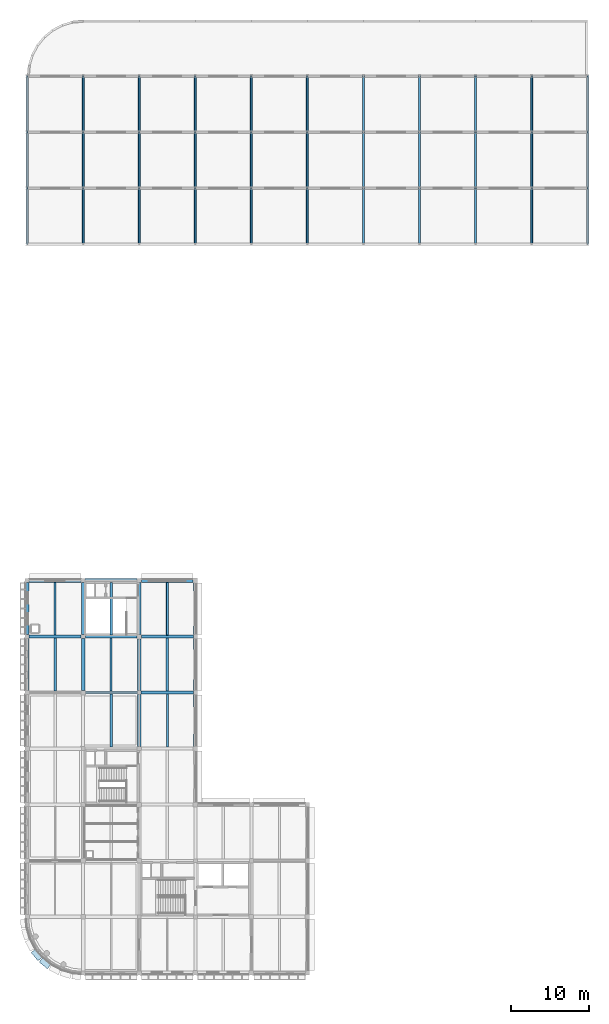
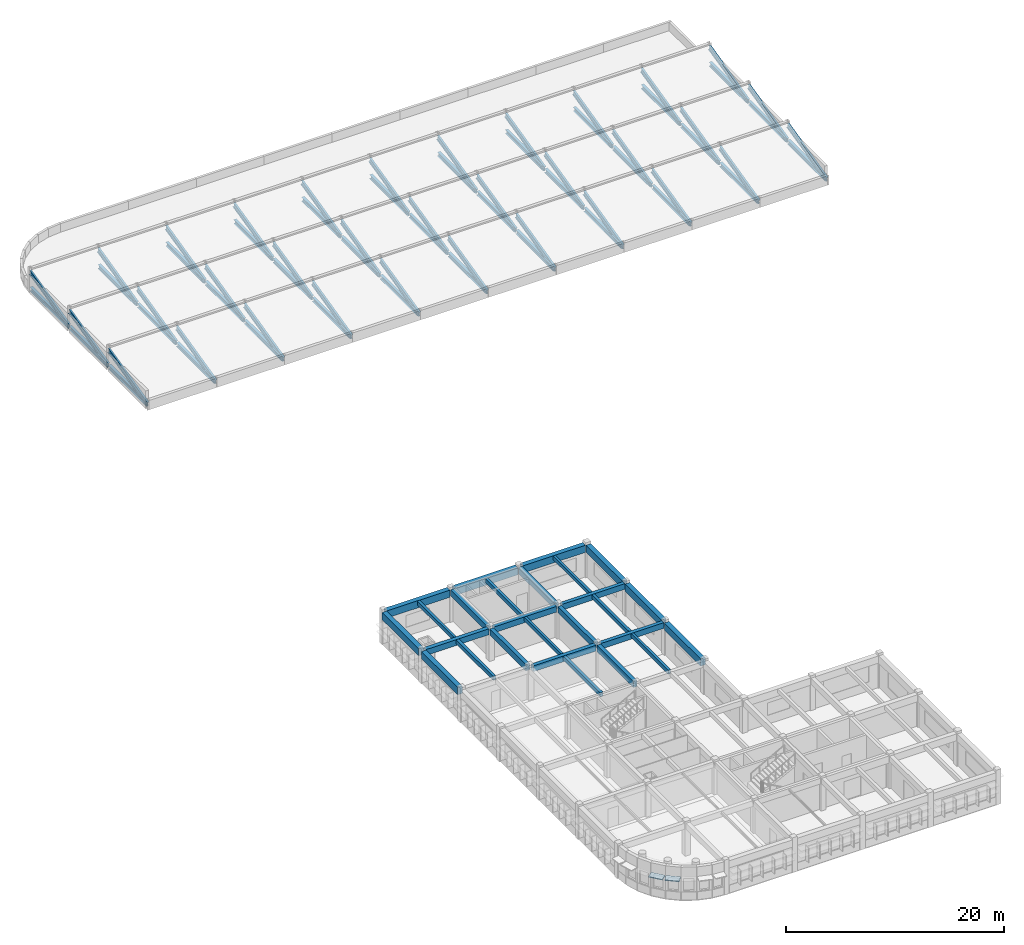
# One storey, part 8 of 19: 66 members, 26 beams, 2 plates.
"""IFC4 building model written with IfcOpenShell, lengths in metres."""

from ifc_helpers import new_model, si_unit, direction, frame, origin, origin_2d, place, context, subcontext, project, spatial, rectangle, i_section, extrude, material, layer, layer_set, material_profile, profile_set, type_object, element, save


model = new_model("IFC4")

# Units and contexts
model_context = context("Model", 3, precision=1e-05, world=origin(), true_north=direction((0.0, 1.0)))
body_context = subcontext(model_context, "Body", "Model", "MODEL_VIEW")
ifc_project = project(units=[si_unit("LENGTHUNIT", "METRE"), si_unit("AREAUNIT", "SQUARE_METRE"), si_unit("VOLUMEUNIT", "CUBIC_METRE"), si_unit("PLANEANGLEUNIT", "RADIAN"), si_unit("MASSUNIT", "GRAM", prefix="KILO")], contexts=[model_context])

# Site, building, storey
site_placement = place(None, origin())
site = spatial("IfcSite", under=ifc_project, at=site_placement, CompositionType="ELEMENT")
building_placement = place(site_placement, origin())
building = spatial("IfcBuilding", under=site, at=building_placement, Name="Thalmaran Polytechnic", CompositionType="ELEMENT")
storey_placement = place(building_placement, frame((0.0, 0.0, 26.699951171875)))
storey = spatial("IfcBuildingStorey", under=building, at=storey_placement, Name="L06", CompositionType="ELEMENT", Elevation=26.699951171875)

# Beams
ifc_material_1 = material(Name="Concrete C40/50", Category="concrete")
ifc_material_profile_1 = material_profile(ifc_material_1, rectangle(XDim=0.39990234375, YDim=0.64990234375, at=origin_2d()), Name="RC 400x650")
ifc_profile_set_1 = profile_set([ifc_material_profile_1], Name="Concrete C40/50")
beam_type_1 = type_object("IfcBeamType", Name="BM-RC06", PredefinedType="BEAM", material=ifc_profile_set_1)
beam_1_placement = place(storey_placement, frame((7.489990234375, 36.0, 3.31005859375), z_axis=(1.0, 0.0, 0.0), x_axis=(0.0, 1.0, 0.0)))
element("IfcBeam", 1, at=beam_1_placement, inside=storey, type_object=beam_type_1, Name="Grid Beam B06 L06 X(1,5)", PredefinedType="BEAM", context=body_context, shape_type="SweptSolid", body=[
    extrude(rectangle(XDim=0.39990234375, YDim=0.64990234375, at=origin_2d()), origin(), (0.0, 0.0, 1.0), 6.659912109375),
])
beam_2_placement = place(storey_placement, frame((7.47509765625, 43.199951171875, 3.31005859375), z_axis=(1.0, 0.0, 0.0), x_axis=(0.0, 1.0, 0.0)))
element("IfcBeam", 2, at=beam_2_placement, inside=storey, type_object=beam_type_1, Name="Grid Beam B06 L06 X(1,6)", PredefinedType="BEAM", context=body_context, shape_type="SweptSolid", body=[
    extrude(rectangle(XDim=0.39990234375, YDim=0.64990234375, at=origin_2d()), origin(), (0.0, 0.0, 1.0), 6.635009765625),
])
ifc_material_profile_2 = material_profile(ifc_material_1, rectangle(XDim=0.389892578125, YDim=0.68994140625, at=origin_2d()), Name="RC 390x690")
ifc_profile_set_2 = profile_set([ifc_material_profile_2], Name="Concrete C40/50")
beam_type_2 = type_object("IfcBeamType", Name="BM-RC09", PredefinedType="BEAM", material=ifc_profile_set_2)
beam_3_placement = place(storey_placement, frame((14.39990234375, 29.06005859375, 3.2900390625), z_axis=(0.0, 1.0, 0.0), x_axis=(-1.0, 0.0, 0.0)))
element("IfcBeam", 3, at=beam_3_placement, inside=storey, type_object=beam_type_2, Name="Grid Beam B09 L06 Y(2,4)", PredefinedType="BEAM", context=body_context, shape_type="SweptSolid", body=[
    extrude(rectangle(XDim=0.389892578125, YDim=0.68994140625, at=origin_2d()), origin(), (0.0, 0.0, 1.0), 6.68994140625),
])
ifc_material_profile_3 = material_profile(ifc_material_1, rectangle(XDim=0.389892578125, YDim=0.695068359375, at=origin_2d()), Name="RC 390x695")
ifc_profile_set_3 = profile_set([ifc_material_profile_3], Name="Concrete C40/50")
beam_type_3 = type_object("IfcBeamType", Name="BM-RC10", PredefinedType="BEAM", material=ifc_profile_set_3)
beam_4_placement = place(storey_placement, frame((7.199951171875, 43.47509765625, 3.28759765625), z_axis=(0.0, 1.0, 0.0), x_axis=(-1.0, 0.0, 0.0)))
element("IfcBeam", 4, at=beam_4_placement, inside=storey, type_object=beam_type_3, Name="Grid Beam B10 L06 Y(1,6)", PredefinedType="BEAM", context=body_context, shape_type="SweptSolid", body=[
    extrude(rectangle(XDim=0.389892578125, YDim=0.695068359375, at=origin_2d()), origin(), (0.0, 0.0, 1.0), 6.664794921875),
])
beam_5_placement = place(storey_placement, frame((14.39990234375, 43.489990234375, 3.28759765625), z_axis=(0.0, 1.0, 0.0), x_axis=(-1.0, 0.0, 0.0)))
element("IfcBeam", 5, at=beam_5_placement, inside=storey, type_object=beam_type_3, Name="Grid Beam B10 L06 Y(2,6)", PredefinedType="BEAM", context=body_context, shape_type="SweptSolid", body=[
    extrude(rectangle(XDim=0.389892578125, YDim=0.695068359375, at=origin_2d()), origin(), (0.0, 0.0, 1.0), 6.635009765625),
])
ifc_material_profile_4 = material_profile(ifc_material_1, rectangle(XDim=0.300048828125, YDim=0.449951171875, at=origin_2d()), Name="RC 300x450")
ifc_profile_set_4 = profile_set([ifc_material_profile_4], Name="Concrete C40/50")
beam_type_4 = type_object("IfcBeamType", Name="BM-RC12", PredefinedType="JOIST", material=ifc_profile_set_4)
beam_6_placement = place(storey_placement, frame((3.60009765625, 36.2099609375, 3.41015625), z_axis=(0.0, 1.0, 0.0), x_axis=(-1.0, 0.0, 0.0)))
element("IfcBeam", 6, at=beam_6_placement, inside=storey, type_object=beam_type_4, Name="Secondary Floor Rib RB02 L06 (0,5)", PredefinedType="JOIST", context=body_context, shape_type="SweptSolid", body=[
    extrude(rectangle(XDim=0.300048828125, YDim=0.449951171875, at=origin_2d()), origin(), (0.0, 0.0, 1.0), 6.780029296875),
])
beam_7_placement = place(storey_placement, frame((10.800048828125, 29.0, 3.41015625), z_axis=(0.0, 1.0, 0.0), x_axis=(-1.0, 0.0, 0.0)))
element("IfcBeam", 7, at=beam_7_placement, inside=storey, type_object=beam_type_4, Name="Secondary Floor Rib RB02 L06 (1,4)", PredefinedType="JOIST", context=body_context, shape_type="SweptSolid", body=[
    extrude(rectangle(XDim=0.300048828125, YDim=0.449951171875, at=origin_2d()), origin(), (0.0, 0.0, 1.0), 6.800048828125),
])
ifc_material_profile_5 = material_profile(ifc_material_1, rectangle(XDim=0.280029296875, YDim=0.449951171875, at=origin_2d()), Name="RC 280x450")
ifc_profile_set_5 = profile_set([ifc_material_profile_5], Name="Concrete C40/50")
beam_type_5 = type_object("IfcBeamType", Name="BM-RC13", PredefinedType="JOIST", material=ifc_profile_set_5)
beam_8_placement = place(storey_placement, frame((10.800048828125, 43.39990234375, 3.41015625), z_axis=(0.0, 1.0, 0.0), x_axis=(-1.0, 0.0, 0.0)))
element("IfcBeam", 8, at=beam_8_placement, inside=storey, type_object=beam_type_5, Name="Secondary Floor Rib RB03 L06 (1,6)", PredefinedType="JOIST", context=body_context, shape_type="SweptSolid", body=[
    extrude(rectangle(XDim=0.280029296875, YDim=0.449951171875, at=origin_2d()), origin(), (0.0, 0.0, 1.0), 6.75),
])
beam_9_placement = place(storey_placement, frame((18.0, 36.18994140625, 3.41015625), z_axis=(0.0, 1.0, 0.0), x_axis=(-1.0, 0.0, 0.0)))
element("IfcBeam", 9, at=beam_9_placement, inside=storey, type_object=beam_type_5, Name="Secondary Floor Rib RB03 L06 (2,5)", PredefinedType="JOIST", context=body_context, shape_type="SweptSolid", body=[
    extrude(rectangle(XDim=0.280029296875, YDim=0.449951171875, at=origin_2d()), origin(), (0.0, 0.0, 1.0), 6.820068359375),
])
ifc_material_profile_6 = material_profile(ifc_material_1, rectangle(XDim=0.5, YDim=0.804931640625, at=origin_2d()), Name="RC 500x805")
ifc_profile_set_6 = profile_set([ifc_material_profile_6], Name="Concrete C40/50")
beam_type_6 = type_object("IfcBeamType", Name="BM-SP03", PredefinedType="SPANDREL", material=ifc_profile_set_6)
beam_10_placement = place(storey_placement, frame((0.25, 50.39990234375, 3.232666015625), z_axis=(1.0, 0.0, 0.0), x_axis=(0.0, 1.0, 0.0)))
element("IfcBeam", 10, at=beam_10_placement, inside=storey, type_object=beam_type_6, Name="Grid Beam SP03 L06 X(0,7)", PredefinedType="SPANDREL", context=body_context, shape_type="SweptSolid", body=[
    extrude(rectangle(XDim=0.5, YDim=0.804931640625, at=origin_2d()), origin(), (0.0, 0.0, 1.0), 6.68994140625),
])
beam_11_placement = place(storey_placement, frame((7.4599609375, 50.39990234375, 3.232666015625), z_axis=(1.0, 0.0, 0.0), x_axis=(0.0, 1.0, 0.0)))
element("IfcBeam", 11, at=beam_11_placement, inside=storey, type_object=beam_type_6, Name="Grid Beam SP03 L06 X(1,7)", PredefinedType="SPANDREL", context=body_context, shape_type="SweptSolid", body=[
    extrude(rectangle(XDim=0.5, YDim=0.804931640625, at=origin_2d()), origin(), (0.0, 0.0, 1.0), 6.6650390625),
])
beam_12_placement = place(storey_placement, frame((14.675048828125, 50.39990234375, 3.232666015625), z_axis=(1.0, 0.0, 0.0), x_axis=(0.0, 1.0, 0.0)))
element("IfcBeam", 12, at=beam_12_placement, inside=storey, type_object=beam_type_6, Name="Grid Beam SP03 L06 X(2,7)", PredefinedType="SPANDREL", context=body_context, shape_type="SweptSolid", body=[
    extrude(rectangle(XDim=0.5, YDim=0.804931640625, at=origin_2d()), origin(), (0.0, 0.0, 1.0), 6.635009765625),
])
beam_13_placement = place(storey_placement, frame((0.0, 36.27490234375, 3.232666015625), z_axis=(0.0, 1.0, 0.0), x_axis=(-1.0, 0.0, 0.0)))
element("IfcBeam", 13, at=beam_13_placement, inside=storey, type_object=beam_type_6, Name="Grid Beam SP03 L06 Y(0,5)", PredefinedType="SPANDREL", context=body_context, shape_type="SweptSolid", body=[
    extrude(rectangle(XDim=0.5, YDim=0.804931640625, at=origin_2d()), origin(), (0.0, 0.0, 1.0), 6.6650390625),
])
beam_14_placement = place(storey_placement, frame((0.0, 43.4599609375, 3.232666015625), z_axis=(0.0, 1.0, 0.0), x_axis=(-1.0, 0.0, 0.0)))
element("IfcBeam", 14, at=beam_14_placement, inside=storey, type_object=beam_type_6, Name="Grid Beam SP03 L06 Y(0,6)", PredefinedType="SPANDREL", context=body_context, shape_type="SweptSolid", body=[
    extrude(rectangle(XDim=0.5, YDim=0.804931640625, at=origin_2d()), origin(), (0.0, 0.0, 1.0), 6.68994140625),
])
beam_15_placement = place(storey_placement, frame((21.60009765625, 29.074951171875, 3.232666015625), z_axis=(0.0, 1.0, 0.0), x_axis=(-1.0, 0.0, 0.0)))
element("IfcBeam", 15, at=beam_15_placement, inside=storey, type_object=beam_type_6, Name="Grid Beam SP03 L06 Y(3,4)", PredefinedType="SPANDREL", context=body_context, shape_type="SweptSolid", body=[
    extrude(rectangle(XDim=0.5, YDim=0.804931640625, at=origin_2d()), origin(), (0.0, 0.0, 1.0), 6.6650390625),
])
beam_16_placement = place(storey_placement, frame((21.60009765625, 36.260009765625, 3.232666015625), z_axis=(0.0, 1.0, 0.0), x_axis=(-1.0, 0.0, 0.0)))
element("IfcBeam", 16, at=beam_16_placement, inside=storey, type_object=beam_type_6, Name="Grid Beam SP03 L06 Y(3,5)", PredefinedType="SPANDREL", context=body_context, shape_type="SweptSolid", body=[
    extrude(rectangle(XDim=0.5, YDim=0.804931640625, at=origin_2d()), origin(), (0.0, 0.0, 1.0), 6.68994140625),
])
beam_17_placement = place(storey_placement, frame((21.60009765625, 43.449951171875, 3.232666015625), z_axis=(0.0, 1.0, 0.0), x_axis=(-1.0, 0.0, 0.0)))
element("IfcBeam", 17, at=beam_17_placement, inside=storey, type_object=beam_type_6, Name="Grid Beam SP03 L06 Y(3,6)", PredefinedType="SPANDREL", context=body_context, shape_type="SweptSolid", body=[
    extrude(rectangle(XDim=0.5, YDim=0.804931640625, at=origin_2d()), origin(), (0.0, 0.0, 1.0), 6.66015625),
])
ifc_material_profile_7 = material_profile(ifc_material_1, rectangle(XDim=0.419921875, YDim=0.659912109375, at=origin_2d()), Name="RC 420x660")
ifc_profile_set_7 = profile_set([ifc_material_profile_7], Name="Concrete C40/50")
beam_type_7 = type_object("IfcBeamType", Name="BM-ZB04", PredefinedType="BEAM", material=ifc_profile_set_7)
beam_18_placement = place(storey_placement, frame((0.260009765625, 43.199951171875, 3.304931640625), z_axis=(1.0, 0.0, 0.0), x_axis=(0.0, 1.0, 0.0)))
element("IfcBeam", 18, at=beam_18_placement, inside=storey, type_object=beam_type_7, Name="Grid Beam ZB04 L06 X(0,6)", PredefinedType="BEAM", context=body_context, shape_type="SweptSolid", body=[
    extrude(rectangle(XDim=0.419921875, YDim=0.659912109375, at=origin_2d()), origin(), (0.0, 0.0, 1.0), 6.6650390625),
])
ifc_material_profile_8 = material_profile(ifc_material_1, rectangle(XDim=0.3798828125, YDim=0.639892578125, at=origin_2d()), Name="RC 380x640")
ifc_profile_set_8 = profile_set([ifc_material_profile_8], Name="Concrete C40/50")
beam_type_8 = type_object("IfcBeamType", Name="BM-ZB05", PredefinedType="BEAM", material=ifc_profile_set_8)
beam_19_placement = place(storey_placement, frame((14.64990234375, 36.0, 3.31494140625), z_axis=(1.0, 0.0, 0.0), x_axis=(0.0, 1.0, 0.0)))
element("IfcBeam", 19, at=beam_19_placement, inside=storey, type_object=beam_type_8, Name="Grid Beam ZB05 L06 X(2,5)", PredefinedType="BEAM", context=body_context, shape_type="SweptSolid", body=[
    extrude(rectangle(XDim=0.3798828125, YDim=0.639892578125, at=origin_2d()), origin(), (0.0, 0.0, 1.0), 6.690185546875),
])
beam_20_placement = place(storey_placement, frame((14.68994140625, 43.199951171875, 3.31494140625), z_axis=(1.0, 0.0, 0.0), x_axis=(0.0, 1.0, 0.0)))
element("IfcBeam", 20, at=beam_20_placement, inside=storey, type_object=beam_type_8, Name="Grid Beam ZB05 L06 X(2,6)", PredefinedType="BEAM", context=body_context, shape_type="SweptSolid", body=[
    extrude(rectangle(XDim=0.3798828125, YDim=0.639892578125, at=origin_2d()), origin(), (0.0, 0.0, 1.0), 6.66015625),
])
ifc_material_profile_9 = material_profile(ifc_material_1, rectangle(XDim=0.39990234375, YDim=0.695068359375, at=origin_2d()), Name="RC 400x695")
ifc_profile_set_9 = profile_set([ifc_material_profile_9], Name="Concrete C40/50")
beam_type_9 = type_object("IfcBeamType", Name="BM-ZB08", PredefinedType="BEAM", material=ifc_profile_set_9)
beam_21_placement = place(storey_placement, frame((7.199951171875, 36.2900390625, 3.28759765625), z_axis=(0.0, 1.0, 0.0), x_axis=(-1.0, 0.0, 0.0)))
element("IfcBeam", 21, at=beam_21_placement, inside=storey, type_object=beam_type_9, Name="Grid Beam ZB08 L06 Y(1,5)", PredefinedType="BEAM", context=body_context, shape_type="SweptSolid", body=[
    extrude(rectangle(XDim=0.39990234375, YDim=0.695068359375, at=origin_2d()), origin(), (0.0, 0.0, 1.0), 6.635009765625),
])
beam_22_placement = place(storey_placement, frame((14.39990234375, 36.25, 3.28759765625), z_axis=(0.0, 1.0, 0.0), x_axis=(-1.0, 0.0, 0.0)))
element("IfcBeam", 22, at=beam_22_placement, inside=storey, type_object=beam_type_9, Name="Grid Beam ZB08 L06 Y(2,5)", PredefinedType="BEAM", context=body_context, shape_type="SweptSolid", body=[
    extrude(rectangle(XDim=0.39990234375, YDim=0.695068359375, at=origin_2d()), origin(), (0.0, 0.0, 1.0), 6.659912109375),
])
ifc_material_profile_10 = material_profile(ifc_material_1, rectangle(XDim=0.260009765625, YDim=0.43994140625, at=origin_2d()), Name="RC 260x440")
ifc_profile_set_10 = profile_set([ifc_material_profile_10], Name="Concrete C40/50")
beam_type_10 = type_object("IfcBeamType", Name="BM-ZJ02", PredefinedType="JOIST", material=ifc_profile_set_10)
beam_23_placement = place(storey_placement, frame((3.60009765625, 43.409912109375, 3.4150390625), z_axis=(0.0, 1.0, 0.0), x_axis=(-1.0, 0.0, 0.0)))
element("IfcBeam", 23, at=beam_23_placement, inside=storey, type_object=beam_type_10, Name="Secondary Floor Rib ZJ02 L06 (0,6)", PredefinedType="JOIST", context=body_context, shape_type="SweptSolid", body=[
    extrude(rectangle(XDim=0.260009765625, YDim=0.43994140625, at=origin_2d()), origin(), (0.0, 0.0, 1.0), 6.739990234375),
])
beam_24_placement = place(storey_placement, frame((10.800048828125, 36.199951171875, 3.4150390625), z_axis=(0.0, 1.0, 0.0), x_axis=(-1.0, 0.0, 0.0)))
element("IfcBeam", 24, at=beam_24_placement, inside=storey, type_object=beam_type_10, Name="Secondary Floor Rib ZJ02 L06 (1,5)", PredefinedType="JOIST", context=body_context, shape_type="SweptSolid", body=[
    extrude(rectangle(XDim=0.260009765625, YDim=0.43994140625, at=origin_2d()), origin(), (0.0, 0.0, 1.0), 6.800048828125),
])
beam_25_placement = place(storey_placement, frame((18.0, 28.989990234375, 3.4150390625), z_axis=(0.0, 1.0, 0.0), x_axis=(-1.0, 0.0, 0.0)))
element("IfcBeam", 25, at=beam_25_placement, inside=storey, type_object=beam_type_10, Name="Secondary Floor Rib ZJ02 L06 (2,4)", PredefinedType="JOIST", context=body_context, shape_type="SweptSolid", body=[
    extrude(rectangle(XDim=0.260009765625, YDim=0.43994140625, at=origin_2d()), origin(), (0.0, 0.0, 1.0), 6.820068359375),
])
ifc_material_profile_11 = material_profile(ifc_material_1, rectangle(XDim=0.25, YDim=0.419921875, at=origin_2d()), Name="RC 250x420")
ifc_profile_set_11 = profile_set([ifc_material_profile_11], Name="Concrete C40/50")
beam_type_11 = type_object("IfcBeamType", Name="BM-ZJ03", PredefinedType="JOIST", material=ifc_profile_set_11)
beam_26_placement = place(storey_placement, frame((18.0, 43.389892578125, 3.425048828125), z_axis=(0.0, 1.0, 0.0), x_axis=(-1.0, 0.0, 0.0)))
element("IfcBeam", 26, at=beam_26_placement, inside=storey, type_object=beam_type_11, Name="Secondary Floor Rib ZJ03 L06 (2,6)", PredefinedType="JOIST", context=body_context, shape_type="SweptSolid", body=[
    extrude(rectangle(XDim=0.25, YDim=0.419921875, at=origin_2d()), origin(), (0.0, 0.0, 1.0), 6.760009765625),
])

# Members
ifc_material_2 = material(Name="Steel S355", Category="steel")
ifc_material_profile_12 = material_profile(ifc_material_2, i_section(OverallWidth=0.300048828125, OverallDepth=0.449951171875, WebThickness=0.013916015625, FlangeThickness=0.02587890625, at=origin_2d()), Name="HEB 450")
ifc_profile_set_12 = profile_set([ifc_material_profile_12], Name="Steel S355")
member_type_1 = type_object("IfcMemberType", Name="MB-CHD1", PredefinedType="CHORD", material=ifc_profile_set_12)
for number, where, z_axis, x_axis, name in (
    (27, (0.0, 93.780029296875, 0.530029296875), (0.0, 1.0, 0.0), (-1.0, 0.0, 0.0), "Library Sawtooth Bottom Chord 1-G00"),
    (28, (7.199951171875, 93.780029296875, 0.530029296875), (0.0, 1.0, 0.0), (-1.0, 0.0, 0.0), "Library Sawtooth Bottom Chord 1-G01"),
    (29, (14.39990234375, 93.780029296875, 0.530029296875), (0.0, 1.0, 0.0), (-1.0, 0.0, 0.0), "Library Sawtooth Bottom Chord 1-G02"),
    (30, (21.60009765625, 93.780029296875, 0.530029296875), (0.0, 1.0, 0.0), (-1.0, 0.0, 0.0), "Library Sawtooth Bottom Chord 1-G03"),
    (31, (28.800048828125, 93.780029296875, 0.530029296875), (0.0, 1.0, 0.0), (-1.0, 0.0, 0.0), "Library Sawtooth Bottom Chord 1-G04"),
    (32, (36.0, 93.780029296875, 0.530029296875), (0.0, 1.0, 0.0), (-1.0, 0.0, 0.0), "Library Sawtooth Bottom Chord 1-G05"),
    (33, (43.199951171875, 93.780029296875, 0.530029296875), (0.0, 1.0, 0.0), (-1.0, 0.0, 0.0), "Library Sawtooth Bottom Chord 1-G06"),
    (34, (50.39990234375, 93.780029296875, 0.530029296875), (0.0, 1.0, 0.0), (-1.0, 0.0, 0.0), "Library Sawtooth Bottom Chord 1-G07"),
    (35, (57.60009765625, 93.780029296875, 0.530029296875), (0.0, 1.0, 0.0), (-1.0, 0.0, 0.0), "Library Sawtooth Bottom Chord 1-G08"),
    (36, (64.800048828125, 93.780029296875, 0.530029296875), (0.0, 1.0, 0.0), (-1.0, 0.0, 0.0), "Library Sawtooth Bottom Chord 1-G09"),
    (37, (72.0, 93.780029296875, 0.530029296875), (0.0, 1.0, 0.0), (-1.0, 0.0, 0.0), "Library Sawtooth Bottom Chord 1-G10"),
    (38, (0.0, 100.97998046875, 0.530029296875), (0.0, 1.0, 0.0), (-1.0, 0.0, 0.0), "Library Sawtooth Bottom Chord 2-G00"),
    (39, (7.199951171875, 100.97998046875, 0.530029296875), (0.0, 1.0, 0.0), (-1.0, 0.0, 0.0), "Library Sawtooth Bottom Chord 2-G01"),
    (40, (14.39990234375, 100.97998046875, 0.530029296875), (0.0, 1.0, 0.0), (-1.0, 0.0, 0.0), "Library Sawtooth Bottom Chord 2-G02"),
    (41, (21.60009765625, 100.97998046875, 0.530029296875), (0.0, 1.0, 0.0), (-1.0, 0.0, 0.0), "Library Sawtooth Bottom Chord 2-G03"),
    (42, (28.800048828125, 100.97998046875, 0.530029296875), (0.0, 1.0, 0.0), (-1.0, 0.0, 0.0), "Library Sawtooth Bottom Chord 2-G04"),
    (43, (36.0, 100.97998046875, 0.530029296875), (0.0, 1.0, 0.0), (-1.0, 0.0, 0.0), "Library Sawtooth Bottom Chord 2-G05"),
    (44, (43.199951171875, 100.97998046875, 0.530029296875), (0.0, 1.0, 0.0), (-1.0, 0.0, 0.0), "Library Sawtooth Bottom Chord 2-G06"),
    (45, (50.39990234375, 100.97998046875, 0.530029296875), (0.0, 1.0, 0.0), (-1.0, 0.0, 0.0), "Library Sawtooth Bottom Chord 2-G07"),
    (46, (57.60009765625, 100.97998046875, 0.530029296875), (0.0, 1.0, 0.0), (-1.0, 0.0, 0.0), "Library Sawtooth Bottom Chord 2-G08"),
    (47, (64.800048828125, 100.97998046875, 0.530029296875), (0.0, 1.0, 0.0), (-1.0, 0.0, 0.0), "Library Sawtooth Bottom Chord 2-G09"),
    (48, (72.0, 100.97998046875, 0.530029296875), (0.0, 1.0, 0.0), (-1.0, 0.0, 0.0), "Library Sawtooth Bottom Chord 2-G10"),
    (49, (0.0, 108.179931640625, 0.530029296875), (0.0, 1.0, 0.0), (-1.0, 0.0, 0.0), "Library Sawtooth Bottom Chord 3-G00"),
    (50, (7.199951171875, 108.179931640625, 0.530029296875), (0.0, 1.0, 0.0), (-1.0, 0.0, 0.0), "Library Sawtooth Bottom Chord 3-G01"),
    (51, (14.39990234375, 108.179931640625, 0.530029296875), (0.0, 1.0, 0.0), (-1.0, 0.0, 0.0), "Library Sawtooth Bottom Chord 3-G02"),
    (52, (21.60009765625, 108.179931640625, 0.530029296875), (0.0, 1.0, 0.0), (-1.0, 0.0, 0.0), "Library Sawtooth Bottom Chord 3-G03"),
    (53, (28.800048828125, 108.179931640625, 0.530029296875), (0.0, 1.0, 0.0), (-1.0, 0.0, 0.0), "Library Sawtooth Bottom Chord 3-G04"),
    (54, (36.0, 108.179931640625, 0.530029296875), (0.0, 1.0, 0.0), (-1.0, 0.0, 0.0), "Library Sawtooth Bottom Chord 3-G05"),
    (55, (43.199951171875, 108.179931640625, 0.530029296875), (0.0, 1.0, 0.0), (-1.0, 0.0, 0.0), "Library Sawtooth Bottom Chord 3-G06"),
    (56, (50.39990234375, 108.179931640625, 0.530029296875), (0.0, 1.0, 0.0), (-1.0, 0.0, 0.0), "Library Sawtooth Bottom Chord 3-G07"),
    (57, (57.60009765625, 108.179931640625, 0.530029296875), (0.0, 1.0, 0.0), (-1.0, 0.0, 0.0), "Library Sawtooth Bottom Chord 3-G08"),
    (58, (64.800048828125, 108.179931640625, 0.530029296875), (0.0, 1.0, 0.0), (-1.0, 0.0, 0.0), "Library Sawtooth Bottom Chord 3-G09"),
    (59, (72.0, 108.179931640625, 0.530029296875), (0.0, 1.0, 0.0), (-1.0, 0.0, 0.0), "Library Sawtooth Bottom Chord 3-G10"),
):
    element("IfcMember", number, at=place(storey_placement, frame(where, z_axis=z_axis, x_axis=x_axis)), inside=storey, type_object=member_type_1, Name=name, PredefinedType="CHORD", context=body_context, shape_type="SweptSolid", body=[
        extrude(i_section(OverallWidth=0.300048828125, OverallDepth=0.449951171875, WebThickness=0.013916015625, FlangeThickness=0.02587890625, at=origin_2d()), origin(), (0.0, 0.0, 1.0), 6.840087890625),
    ])
ifc_material_profile_13 = material_profile(ifc_material_2, i_section(OverallWidth=0.2099609375, OverallDepth=0.550048828125, WebThickness=0.010986328125, FlangeThickness=0.01708984375, at=origin_2d()), Name="IPE 550")
ifc_profile_set_13 = profile_set([ifc_material_profile_13], Name="Steel S355")
member_type_2 = type_object("IfcMemberType", Name="MB-RAF2", PredefinedType="RAFTER", material=ifc_profile_set_13)
for number, where, z_axis, x_axis, name in (
    (60, (0.0, 93.60009765625, 0.550048828125), (0.0, 0.972371137983, 0.233440292188), (-1.0, 0.0, 0.0), "Library Sawtooth Rafter 1-G00"),
    (61, (7.199951171875, 93.60009765625, 0.550048828125), (0.0, 0.972371137983, 0.233440292188), (-1.0, 0.0, 0.0), "Library Sawtooth Rafter 1-G01"),
    (62, (14.39990234375, 93.60009765625, 0.550048828125), (0.0, 0.972371137983, 0.233440292188), (-1.0, 0.0, 0.0), "Library Sawtooth Rafter 1-G02"),
    (63, (21.60009765625, 93.60009765625, 0.550048828125), (0.0, 0.972371137983, 0.233440292188), (-1.0, 0.0, 0.0), "Library Sawtooth Rafter 1-G03"),
    (64, (28.800048828125, 93.60009765625, 0.550048828125), (0.0, 0.972371137983, 0.233440292188), (-1.0, 0.0, 0.0), "Library Sawtooth Rafter 1-G04"),
    (65, (36.0, 93.60009765625, 0.550048828125), (0.0, 0.972371137983, 0.233440292188), (-1.0, 0.0, 0.0), "Library Sawtooth Rafter 1-G05"),
    (66, (43.199951171875, 93.60009765625, 0.550048828125), (0.0, 0.972371137983, 0.233440292188), (-1.0, 0.0, 0.0), "Library Sawtooth Rafter 1-G06"),
    (67, (50.39990234375, 93.60009765625, 0.550048828125), (0.0, 0.972371137983, 0.233440292188), (-1.0, 0.0, 0.0), "Library Sawtooth Rafter 1-G07"),
    (68, (57.60009765625, 93.60009765625, 0.550048828125), (0.0, 0.972371137983, 0.233440292188), (-1.0, 0.0, 0.0), "Library Sawtooth Rafter 1-G08"),
    (69, (64.800048828125, 93.60009765625, 0.550048828125), (0.0, 0.972371137983, 0.233440292188), (-1.0, 0.0, 0.0), "Library Sawtooth Rafter 1-G09"),
    (70, (72.0, 93.60009765625, 0.550048828125), (0.0, 0.972371137983, 0.233440292188), (-1.0, 0.0, 0.0), "Library Sawtooth Rafter 1-G10"),
    (71, (0.0, 100.800048828125, 0.550048828125), (0.0, 0.972371137983, 0.233440292188), (-1.0, 0.0, 0.0), "Library Sawtooth Rafter 2-G00"),
    (72, (7.199951171875, 100.800048828125, 0.550048828125), (0.0, 0.972371137983, 0.233440292188), (-1.0, 0.0, 0.0), "Library Sawtooth Rafter 2-G01"),
    (73, (14.39990234375, 100.800048828125, 0.550048828125), (0.0, 0.972371137983, 0.233440292188), (-1.0, 0.0, 0.0), "Library Sawtooth Rafter 2-G02"),
    (74, (21.60009765625, 100.800048828125, 0.550048828125), (0.0, 0.972371137983, 0.233440292188), (-1.0, 0.0, 0.0), "Library Sawtooth Rafter 2-G03"),
    (75, (28.800048828125, 100.800048828125, 0.550048828125), (0.0, 0.972371137983, 0.233440292188), (-1.0, 0.0, 0.0), "Library Sawtooth Rafter 2-G04"),
    (76, (36.0, 100.800048828125, 0.550048828125), (0.0, 0.972371137983, 0.233440292188), (-1.0, 0.0, 0.0), "Library Sawtooth Rafter 2-G05"),
    (77, (43.199951171875, 100.800048828125, 0.550048828125), (0.0, 0.972371137983, 0.233440292188), (-1.0, 0.0, 0.0), "Library Sawtooth Rafter 2-G06"),
    (78, (50.39990234375, 100.800048828125, 0.550048828125), (0.0, 0.972371137983, 0.233440292188), (-1.0, 0.0, 0.0), "Library Sawtooth Rafter 2-G07"),
    (79, (57.60009765625, 100.800048828125, 0.550048828125), (0.0, 0.972371137983, 0.233440292188), (-1.0, 0.0, 0.0), "Library Sawtooth Rafter 2-G08"),
    (80, (64.800048828125, 100.800048828125, 0.550048828125), (0.0, 0.972371137983, 0.233440292188), (-1.0, 0.0, 0.0), "Library Sawtooth Rafter 2-G09"),
    (81, (72.0, 100.800048828125, 0.550048828125), (0.0, 0.972371137983, 0.233440292188), (-1.0, 0.0, 0.0), "Library Sawtooth Rafter 2-G10"),
    (82, (0.0, 108.0, 0.550048828125), (0.0, 0.972371137983, 0.233440292188), (-1.0, 0.0, 0.0), "Library Sawtooth Rafter 3-G00"),
    (83, (7.199951171875, 108.0, 0.550048828125), (0.0, 0.972371137983, 0.233440292188), (-1.0, 0.0, 0.0), "Library Sawtooth Rafter 3-G01"),
    (84, (14.39990234375, 108.0, 0.550048828125), (0.0, 0.972371137983, 0.233440292188), (-1.0, 0.0, 0.0), "Library Sawtooth Rafter 3-G02"),
    (85, (21.60009765625, 108.0, 0.550048828125), (0.0, 0.972371137983, 0.233440292188), (-1.0, 0.0, 0.0), "Library Sawtooth Rafter 3-G03"),
    (86, (28.800048828125, 108.0, 0.550048828125), (0.0, 0.972371137983, 0.233440292188), (-1.0, 0.0, 0.0), "Library Sawtooth Rafter 3-G04"),
    (87, (36.0, 108.0, 0.550048828125), (0.0, 0.972371137983, 0.233440292188), (-1.0, 0.0, 0.0), "Library Sawtooth Rafter 3-G05"),
    (88, (43.199951171875, 108.0, 0.550048828125), (0.0, 0.972371137983, 0.233440292188), (-1.0, 0.0, 0.0), "Library Sawtooth Rafter 3-G06"),
    (89, (50.39990234375, 108.0, 0.550048828125), (0.0, 0.972371137983, 0.233440292188), (-1.0, 0.0, 0.0), "Library Sawtooth Rafter 3-G07"),
    (90, (57.60009765625, 108.0, 0.550048828125), (0.0, 0.972371137983, 0.233440292188), (-1.0, 0.0, 0.0), "Library Sawtooth Rafter 3-G08"),
    (91, (64.800048828125, 108.0, 0.550048828125), (0.0, 0.972371137983, 0.233440292188), (-1.0, 0.0, 0.0), "Library Sawtooth Rafter 3-G09"),
    (92, (72.0, 108.0, 0.550048828125), (0.0, 0.972371137983, 0.233440292188), (-1.0, 0.0, 0.0), "Library Sawtooth Rafter 3-G10"),
):
    element("IfcMember", number, at=place(storey_placement, frame(where, z_axis=z_axis, x_axis=x_axis)), inside=storey, type_object=member_type_2, Name=name, PredefinedType="RAFTER", context=body_context, shape_type="SweptSolid", body=[
        extrude(i_section(OverallWidth=0.2099609375, OverallDepth=0.550048828125, WebThickness=0.010986328125, FlangeThickness=0.01708984375, at=origin_2d()), origin(), (0.0, 0.0, 1.0), 7.404541015625),
    ])

# Plates
ifc_material_3 = material(Name="Anodised aluminium sun-hood eyebrow", Category="aluminium")
ifc_layer = layer(ifc_material_3, 0.0849609375, Name="Anodised aluminium sun-hood eyebrow")
ifc_layer_set = layer_set([ifc_layer], Name="Anodised aluminium sun-hood eyebrow")
plate_type = type_object("IfcPlateType", Name="PT-EB01", PredefinedType="SHEET", material=ifc_layer_set)
for number, where, z_axis, x_axis, name in (
    (93, (1.24365234375, 2.311767578125, 2.517578125), (0.0, 0.0, 1.0), (-0.634393284164, 0.773010453363, 0.0), "Streamline Sun-Hood Eyebrow L06-001"),
    (94, (2.311767578125, 1.24365234375, 2.517578125), (0.0, 0.0, 1.0), (-0.773010453363, 0.634393284164, 0.0), "Streamline Sun-Hood Eyebrow L06-030"),
):
    element("IfcPlate", number, at=place(storey_placement, frame(where, z_axis=z_axis, x_axis=x_axis)), inside=storey, type_object=plate_type, Name=name, PredefinedType="SHEET", context=body_context, shape_type="SweptSolid", body=[
        extrude(rectangle(XDim=1.371337890625, YDim=0.760009765625, at=origin_2d()), origin(), (0.0, 0.0, 1.0), 0.0849609375),
    ])

save(model, "model.ifc")
